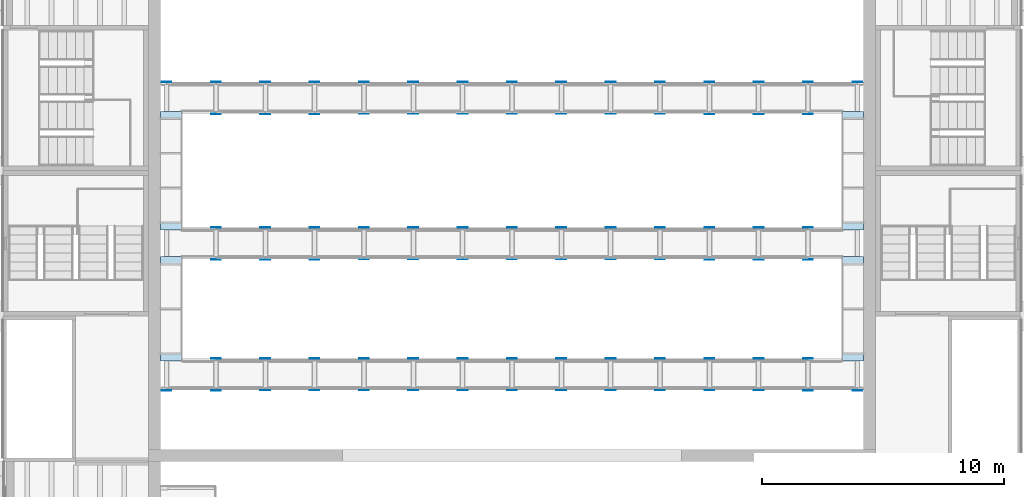
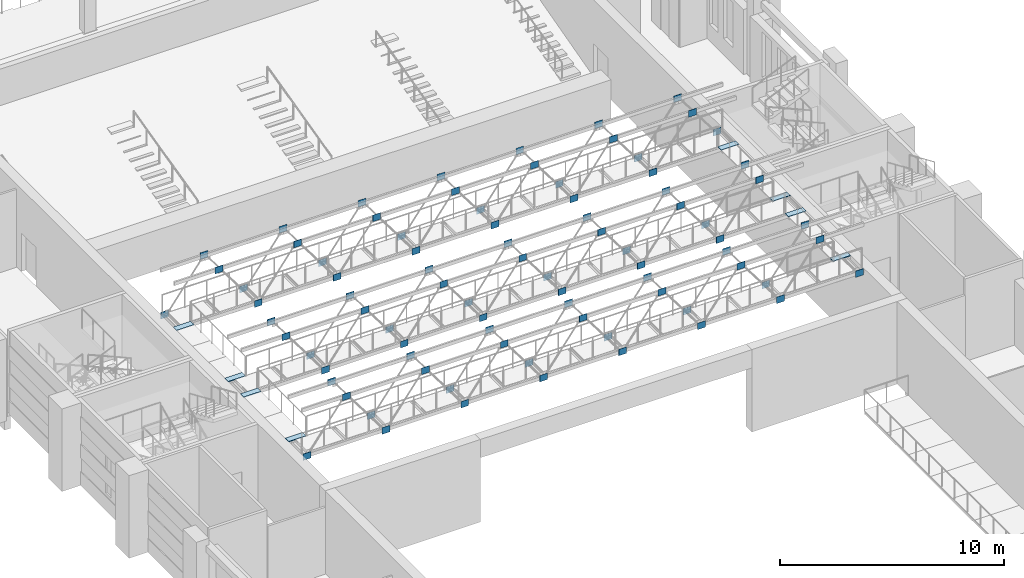
# One storey, part 24 of 70: 82 plates, 8 slabs.
"""IFC4 building model written with IfcOpenShell, lengths in metres."""

from ifc_helpers import new_model, si_unit, direction, frame, origin, origin_2d, place, context, subcontext, project, spatial, polyline, rectangle, outline, extrude, material, layer, layer_set, type_object, element, save


model = new_model("IFC4")

# Units and contexts
model_context = context("Model", 3, precision=1e-05, world=origin(), true_north=direction((0.0, 1.0)))
body_context = subcontext(model_context, "Body", "Model", "MODEL_VIEW")
ifc_project = project(units=[si_unit("LENGTHUNIT", "METRE"), si_unit("AREAUNIT", "SQUARE_METRE"), si_unit("VOLUMEUNIT", "CUBIC_METRE"), si_unit("PLANEANGLEUNIT", "RADIAN"), si_unit("MASSUNIT", "GRAM", prefix="KILO")], contexts=[model_context])

# Site, building, storey
site_placement = place(None, origin())
site = spatial("IfcSite", under=ifc_project, at=site_placement, CompositionType="ELEMENT")
building_placement = place(site_placement, origin())
building = spatial("IfcBuilding", under=site, at=building_placement, Name="Saffron Lane Theatres", CompositionType="ELEMENT")
storey_placement = place(building_placement, frame((0.0, 0.0, 12.0)))
storey = spatial("IfcBuildingStorey", under=building, at=storey_placement, Name="L02", CompositionType="ELEMENT", Elevation=12.0)

# Slabs
ifc_material_1 = material(Name="Steel Grade 350 grating", Category="steel")
ifc_layer_1 = layer(ifc_material_1, 0.0400390625)
ifc_layer_set_1 = layer_set([ifc_layer_1], Name="Steel Grade 350 grating")
slab_type = type_object("IfcSlabType", Name="ST-BRIDGE DECK", PredefinedType="USERDEFINED", material=ifc_layer_set_1)
slab_1_placement = place(storey_placement, frame((0.0, 0.0, 4.4599609375)))
element("IfcSlab", 1, at=slab_1_placement, inside=storey, type_object=slab_type, Name="CDW1-1", ObjectType="GALLERY", PredefinedType="USERDEFINED", context=body_context, shape_type="SweptSolid", body=[
    extrude(outline(polyline([(18.5, 58.14990234375), (19.39990234375, 58.14990234375), (19.39990234375, 58.449951171875), (18.5, 58.449951171875), (18.5, 58.14990234375)])), origin(), (0.0, 0.0, 1.0), 0.0400390625),
])
slab_2_placement = place(storey_placement, frame((0.0, 0.0, 4.4599609375)))
element("IfcSlab", 2, at=slab_2_placement, inside=storey, type_object=slab_type, Name="CDW1-4", ObjectType="GALLERY", PredefinedType="USERDEFINED", context=body_context, shape_type="SweptSolid", body=[
    extrude(outline(polyline([(18.5, 62.14990234375), (19.39990234375, 62.14990234375), (19.39990234375, 62.449951171875), (18.5, 62.449951171875), (18.5, 62.14990234375)])), origin(), (0.0, 0.0, 1.0), 0.0400390625),
])
slab_3_placement = place(storey_placement, frame((0.0, 0.0, 4.4599609375)))
element("IfcSlab", 3, at=slab_3_placement, inside=storey, type_object=slab_type, Name="CDE1-1", ObjectType="GALLERY", PredefinedType="USERDEFINED", context=body_context, shape_type="SweptSolid", body=[
    extrude(outline(polyline([(46.60009765625, 58.14990234375), (47.5, 58.14990234375), (47.5, 58.449951171875), (46.60009765625, 58.449951171875), (46.60009765625, 58.14990234375)])), origin(), (0.0, 0.0, 1.0), 0.0400390625),
])
slab_4_placement = place(storey_placement, frame((0.0, 0.0, 4.4599609375)))
element("IfcSlab", 4, at=slab_4_placement, inside=storey, type_object=slab_type, Name="CDE1-4", ObjectType="GALLERY", PredefinedType="USERDEFINED", context=body_context, shape_type="SweptSolid", body=[
    extrude(outline(polyline([(46.60009765625, 62.14990234375), (47.5, 62.14990234375), (47.5, 62.449951171875), (46.60009765625, 62.449951171875), (46.60009765625, 62.14990234375)])), origin(), (0.0, 0.0, 1.0), 0.0400390625),
])
slab_5_placement = place(storey_placement, frame((0.0, 0.0, 4.4599609375)))
element("IfcSlab", 5, at=slab_5_placement, inside=storey, type_object=slab_type, Name="CDW2-1", ObjectType="GALLERY", PredefinedType="USERDEFINED", context=body_context, shape_type="SweptSolid", body=[
    extrude(outline(polyline([(18.5, 63.550048828125), (19.39990234375, 63.550048828125), (19.39990234375, 63.85009765625), (18.5, 63.85009765625), (18.5, 63.550048828125)])), origin(), (0.0, 0.0, 1.0), 0.0400390625),
])
slab_6_placement = place(storey_placement, frame((0.0, 0.0, 4.4599609375)))
element("IfcSlab", 6, at=slab_6_placement, inside=storey, type_object=slab_type, Name="CDW2-5", ObjectType="GALLERY", PredefinedType="USERDEFINED", context=body_context, shape_type="SweptSolid", body=[
    extrude(outline(polyline([(18.5, 68.14990234375), (19.39990234375, 68.14990234375), (19.39990234375, 68.449951171875), (18.5, 68.449951171875), (18.5, 68.14990234375)])), origin(), (0.0, 0.0, 1.0), 0.0400390625),
])
slab_7_placement = place(storey_placement, frame((0.0, 0.0, 4.4599609375)))
element("IfcSlab", 7, at=slab_7_placement, inside=storey, type_object=slab_type, Name="CDE2-1", ObjectType="GALLERY", PredefinedType="USERDEFINED", context=body_context, shape_type="SweptSolid", body=[
    extrude(outline(polyline([(46.60009765625, 63.550048828125), (47.5, 63.550048828125), (47.5, 63.85009765625), (46.60009765625, 63.85009765625), (46.60009765625, 63.550048828125)])), origin(), (0.0, 0.0, 1.0), 0.0400390625),
])
slab_8_placement = place(storey_placement, frame((0.0, 0.0, 4.4599609375)))
element("IfcSlab", 8, at=slab_8_placement, inside=storey, type_object=slab_type, Name="CDE2-5", ObjectType="GALLERY", PredefinedType="USERDEFINED", context=body_context, shape_type="SweptSolid", body=[
    extrude(outline(polyline([(46.60009765625, 68.14990234375), (47.5, 68.14990234375), (47.5, 68.449951171875), (46.60009765625, 68.449951171875), (46.60009765625, 68.14990234375)])), origin(), (0.0, 0.0, 1.0), 0.0400390625),
])

# Plates
ifc_material_2 = material(Name="Steel Grade 350 plate", Category="steel")
ifc_layer_2 = layer(ifc_material_2, 0.010009765625)
ifc_layer_set_2 = layer_set([ifc_layer_2], Name="Steel Grade 350 plate")
plate_type_1 = type_object("IfcPlateType", Name="ST-GUSSET PLATE 10", PredefinedType="SHEET", material=ifc_layer_set_2)
for number, where, z_axis, x_axis, name in (
    (9, (26.892822265625, 56.945068359375, 4.18505859375), (0.0, 0.0, 1.0), (1.0, 0.0, 0.0), "LG1A-5"),
    (10, (28.928466796875, 56.945068359375, 6.724853515625), (0.0, 0.0, 1.0), (1.0, 0.0, 0.0), "LG1A-6"),
    (11, (30.96435546875, 56.945068359375, 4.18505859375), (0.0, 0.0, 1.0), (1.0, 0.0, 0.0), "LG1A-7"),
    (12, (33.0, 56.945068359375, 6.724853515625), (0.0, 0.0, 1.0), (1.0, 0.0, 0.0), "LG1A-8"),
    (13, (35.03564453125, 56.945068359375, 4.18505859375), (0.0, 0.0, 1.0), (1.0, 0.0, 0.0), "LG1A-9"),
    (14, (37.071533203125, 56.945068359375, 6.724853515625), (0.0, 0.0, 1.0), (1.0, 0.0, 0.0), "LG1A-10"),
    (15, (39.107177734375, 56.945068359375, 4.18505859375), (0.0, 0.0, 1.0), (1.0, 0.0, 0.0), "LG1A-11"),
    (16, (26.892822265625, 58.2548828125, 4.18505859375), (0.0, 0.0, 1.0), (1.0, 0.0, 0.0), "LG1B-5"),
    (17, (28.928466796875, 58.2548828125, 6.724853515625), (0.0, 0.0, 1.0), (1.0, 0.0, 0.0), "LG1B-6"),
    (18, (30.96435546875, 58.2548828125, 4.18505859375), (0.0, 0.0, 1.0), (1.0, 0.0, 0.0), "LG1B-7"),
    (19, (33.0, 58.2548828125, 6.724853515625), (0.0, 0.0, 1.0), (1.0, 0.0, 0.0), "LG1B-8"),
    (20, (35.03564453125, 58.2548828125, 4.18505859375), (0.0, 0.0, 1.0), (1.0, 0.0, 0.0), "LG1B-9"),
    (21, (37.071533203125, 58.2548828125, 6.724853515625), (0.0, 0.0, 1.0), (1.0, 0.0, 0.0), "LG1B-10"),
    (22, (39.107177734375, 58.2548828125, 4.18505859375), (0.0, 0.0, 1.0), (1.0, 0.0, 0.0), "LG1B-11"),
    (23, (26.892822265625, 62.344970703125, 4.18505859375), (0.0, 0.0, 1.0), (1.0, 0.0, 0.0), "LG2A-5"),
    (24, (28.928466796875, 62.344970703125, 6.724853515625), (0.0, 0.0, 1.0), (1.0, 0.0, 0.0), "LG2A-6"),
    (25, (30.96435546875, 62.344970703125, 4.18505859375), (0.0, 0.0, 1.0), (1.0, 0.0, 0.0), "LG2A-7"),
    (26, (33.0, 62.344970703125, 6.724853515625), (0.0, 0.0, 1.0), (1.0, 0.0, 0.0), "LG2A-8"),
    (27, (35.03564453125, 62.344970703125, 4.18505859375), (0.0, 0.0, 1.0), (1.0, 0.0, 0.0), "LG2A-9"),
    (28, (37.071533203125, 62.344970703125, 6.724853515625), (0.0, 0.0, 1.0), (1.0, 0.0, 0.0), "LG2A-10"),
    (29, (39.107177734375, 62.344970703125, 4.18505859375), (0.0, 0.0, 1.0), (1.0, 0.0, 0.0), "LG2A-11"),
    (30, (26.892822265625, 63.655029296875, 4.18505859375), (0.0, 0.0, 1.0), (1.0, 0.0, 0.0), "LG2B-5"),
    (31, (28.928466796875, 63.655029296875, 6.724853515625), (0.0, 0.0, 1.0), (1.0, 0.0, 0.0), "LG2B-6"),
    (32, (30.96435546875, 63.655029296875, 4.18505859375), (0.0, 0.0, 1.0), (1.0, 0.0, 0.0), "LG2B-7"),
    (33, (33.0, 63.655029296875, 6.724853515625), (0.0, 0.0, 1.0), (1.0, 0.0, 0.0), "LG2B-8"),
    (34, (35.03564453125, 63.655029296875, 4.18505859375), (0.0, 0.0, 1.0), (1.0, 0.0, 0.0), "LG2B-9"),
    (35, (37.071533203125, 63.655029296875, 6.724853515625), (0.0, 0.0, 1.0), (1.0, 0.0, 0.0), "LG2B-10"),
    (36, (39.107177734375, 63.655029296875, 4.18505859375), (0.0, 0.0, 1.0), (1.0, 0.0, 0.0), "LG2B-11"),
    (37, (26.892822265625, 68.344970703125, 4.18505859375), (0.0, 0.0, 1.0), (1.0, 0.0, 0.0), "LG3A-5"),
    (38, (28.928466796875, 68.344970703125, 6.724853515625), (0.0, 0.0, 1.0), (1.0, 0.0, 0.0), "LG3A-6"),
    (39, (30.96435546875, 68.344970703125, 4.18505859375), (0.0, 0.0, 1.0), (1.0, 0.0, 0.0), "LG3A-7"),
    (40, (33.0, 68.344970703125, 6.724853515625), (0.0, 0.0, 1.0), (1.0, 0.0, 0.0), "LG3A-8"),
    (41, (35.03564453125, 68.344970703125, 4.18505859375), (0.0, 0.0, 1.0), (1.0, 0.0, 0.0), "LG3A-9"),
    (42, (37.071533203125, 68.344970703125, 6.724853515625), (0.0, 0.0, 1.0), (1.0, 0.0, 0.0), "LG3A-10"),
    (43, (39.107177734375, 68.344970703125, 4.18505859375), (0.0, 0.0, 1.0), (1.0, 0.0, 0.0), "LG3A-11"),
    (44, (26.892822265625, 69.655029296875, 4.18505859375), (0.0, 0.0, 1.0), (1.0, 0.0, 0.0), "LG3B-5"),
    (45, (28.928466796875, 69.655029296875, 6.724853515625), (0.0, 0.0, 1.0), (1.0, 0.0, 0.0), "LG3B-6"),
    (46, (30.96435546875, 69.655029296875, 4.18505859375), (0.0, 0.0, 1.0), (1.0, 0.0, 0.0), "LG3B-7"),
    (47, (33.0, 69.655029296875, 6.724853515625), (0.0, 0.0, 1.0), (1.0, 0.0, 0.0), "LG3B-8"),
    (48, (35.03564453125, 69.655029296875, 4.18505859375), (0.0, 0.0, 1.0), (1.0, 0.0, 0.0), "LG3B-9"),
    (49, (37.071533203125, 69.655029296875, 6.724853515625), (0.0, 0.0, 1.0), (1.0, 0.0, 0.0), "LG3B-10"),
    (50, (39.107177734375, 69.655029296875, 4.18505859375), (0.0, 0.0, 1.0), (1.0, 0.0, 0.0), "LG3B-11"),
):
    element("IfcPlate", number, at=place(storey_placement, frame(where, z_axis=z_axis, x_axis=x_axis)), inside=storey, type_object=plate_type_1, Name=name, PredefinedType="SHEET", context=body_context, shape_type="SweptSolid", body=[
        extrude(rectangle(XDim=0.39990234375, YDim=0.010009765625, at=origin_2d()), origin(), (0.0, 0.0, 1.0), 0.35009765625),
    ])
ifc_material_3 = material(Name="Steel Grade 350 plate", Category="steel")
ifc_layer_3 = layer(ifc_material_3, 0.01611328125)
ifc_layer_set_3 = layer_set([ifc_layer_3], Name="Steel Grade 350 plate")
plate_type_2 = type_object("IfcPlateType", Name="ST-GUSSET PLATE 16", PredefinedType="SHEET", material=ifc_layer_set_3)
for number, where, z_axis, x_axis, name in (
    (51, (22.821533203125, 56.94189453125, 4.18505859375), (0.0, 0.0, 1.0), (1.0, 0.0, 0.0), "LG1A-3"),
    (52, (24.857177734375, 56.94189453125, 6.724853515625), (0.0, 0.0, 1.0), (1.0, 0.0, 0.0), "LG1A-4"),
    (53, (41.142822265625, 56.94189453125, 6.724853515625), (0.0, 0.0, 1.0), (1.0, 0.0, 0.0), "LG1A-12"),
    (54, (43.178466796875, 56.94189453125, 4.18505859375), (0.0, 0.0, 1.0), (1.0, 0.0, 0.0), "LG1A-13"),
    (55, (22.821533203125, 58.258056640625, 4.18505859375), (0.0, 0.0, 1.0), (1.0, 0.0, 0.0), "LG1B-3"),
    (56, (24.857177734375, 58.258056640625, 6.724853515625), (0.0, 0.0, 1.0), (1.0, 0.0, 0.0), "LG1B-4"),
    (57, (41.142822265625, 58.258056640625, 6.724853515625), (0.0, 0.0, 1.0), (1.0, 0.0, 0.0), "LG1B-12"),
    (58, (43.178466796875, 58.258056640625, 4.18505859375), (0.0, 0.0, 1.0), (1.0, 0.0, 0.0), "LG1B-13"),
    (59, (22.821533203125, 62.342041015625, 4.18505859375), (0.0, 0.0, 1.0), (1.0, 0.0, 0.0), "LG2A-3"),
    (60, (24.857177734375, 62.342041015625, 6.724853515625), (0.0, 0.0, 1.0), (1.0, 0.0, 0.0), "LG2A-4"),
    (61, (41.142822265625, 62.342041015625, 6.724853515625), (0.0, 0.0, 1.0), (1.0, 0.0, 0.0), "LG2A-12"),
    (62, (43.178466796875, 62.342041015625, 4.18505859375), (0.0, 0.0, 1.0), (1.0, 0.0, 0.0), "LG2A-13"),
    (63, (22.821533203125, 63.657958984375, 4.18505859375), (0.0, 0.0, 1.0), (1.0, 0.0, 0.0), "LG2B-3"),
    (64, (24.857177734375, 63.657958984375, 6.724853515625), (0.0, 0.0, 1.0), (1.0, 0.0, 0.0), "LG2B-4"),
    (65, (41.142822265625, 63.657958984375, 6.724853515625), (0.0, 0.0, 1.0), (1.0, 0.0, 0.0), "LG2B-12"),
    (66, (43.178466796875, 63.657958984375, 4.18505859375), (0.0, 0.0, 1.0), (1.0, 0.0, 0.0), "LG2B-13"),
    (67, (22.821533203125, 68.342041015625, 4.18505859375), (0.0, 0.0, 1.0), (1.0, 0.0, 0.0), "LG3A-3"),
    (68, (24.857177734375, 68.342041015625, 6.724853515625), (0.0, 0.0, 1.0), (1.0, 0.0, 0.0), "LG3A-4"),
    (69, (41.142822265625, 68.342041015625, 6.724853515625), (0.0, 0.0, 1.0), (1.0, 0.0, 0.0), "LG3A-12"),
    (70, (43.178466796875, 68.342041015625, 4.18505859375), (0.0, 0.0, 1.0), (1.0, 0.0, 0.0), "LG3A-13"),
    (71, (22.821533203125, 69.657958984375, 4.18505859375), (0.0, 0.0, 1.0), (1.0, 0.0, 0.0), "LG3B-3"),
    (72, (24.857177734375, 69.657958984375, 6.724853515625), (0.0, 0.0, 1.0), (1.0, 0.0, 0.0), "LG3B-4"),
    (73, (41.142822265625, 69.657958984375, 6.724853515625), (0.0, 0.0, 1.0), (1.0, 0.0, 0.0), "LG3B-12"),
    (74, (43.178466796875, 69.657958984375, 4.18505859375), (0.0, 0.0, 1.0), (1.0, 0.0, 0.0), "LG3B-13"),
):
    element("IfcPlate", number, at=place(storey_placement, frame(where, z_axis=z_axis, x_axis=x_axis)), inside=storey, type_object=plate_type_2, Name=name, PredefinedType="SHEET", context=body_context, shape_type="SweptSolid", body=[
        extrude(rectangle(XDim=0.39990234375, YDim=0.01611328125, at=origin_2d()), origin(), (0.0, 0.0, 1.0), 0.35009765625),
    ])
ifc_material_4 = material(Name="Steel Grade 350 plate", Category="steel")
ifc_layer_4 = layer(ifc_material_4, 0.02001953125)
ifc_layer_set_4 = layer_set([ifc_layer_4], Name="Steel Grade 350 plate")
plate_type_3 = type_object("IfcPlateType", Name="ST-GUSSET PLATE 20", PredefinedType="SHEET", material=ifc_layer_set_4)
for number, where, z_axis, x_axis, name in (
    (75, (18.75, 56.93994140625, 4.18505859375), (0.0, 0.0, 1.0), (1.0, 0.0, 0.0), "LG1A-1"),
    (76, (20.78564453125, 56.93994140625, 6.724853515625), (0.0, 0.0, 1.0), (1.0, 0.0, 0.0), "LG1A-2"),
    (77, (45.21435546875, 56.93994140625, 6.724853515625), (0.0, 0.0, 1.0), (1.0, 0.0, 0.0), "LG1A-14"),
    (78, (47.25, 56.93994140625, 4.18505859375), (0.0, 0.0, 1.0), (1.0, 0.0, 0.0), "LG1A-15"),
    (79, (20.78564453125, 58.260009765625, 6.724853515625), (0.0, 0.0, 1.0), (1.0, 0.0, 0.0), "LG1B-2"),
    (80, (45.21435546875, 58.260009765625, 6.724853515625), (0.0, 0.0, 1.0), (1.0, 0.0, 0.0), "LG1B-14"),
    (81, (20.78564453125, 62.340087890625, 6.724853515625), (0.0, 0.0, 1.0), (1.0, 0.0, 0.0), "LG2A-2"),
    (82, (45.21435546875, 62.340087890625, 6.724853515625), (0.0, 0.0, 1.0), (1.0, 0.0, 0.0), "LG2A-14"),
    (83, (20.78564453125, 63.659912109375, 6.724853515625), (0.0, 0.0, 1.0), (1.0, 0.0, 0.0), "LG2B-2"),
    (84, (45.21435546875, 63.659912109375, 6.724853515625), (0.0, 0.0, 1.0), (1.0, 0.0, 0.0), "LG2B-14"),
    (85, (20.78564453125, 68.340087890625, 6.724853515625), (0.0, 0.0, 1.0), (1.0, 0.0, 0.0), "LG3A-2"),
    (86, (45.21435546875, 68.340087890625, 6.724853515625), (0.0, 0.0, 1.0), (1.0, 0.0, 0.0), "LG3A-14"),
    (87, (18.75, 69.659912109375, 4.18505859375), (0.0, 0.0, 1.0), (1.0, 0.0, 0.0), "LG3B-1"),
    (88, (20.78564453125, 69.659912109375, 6.724853515625), (0.0, 0.0, 1.0), (1.0, 0.0, 0.0), "LG3B-2"),
    (89, (45.21435546875, 69.659912109375, 6.724853515625), (0.0, 0.0, 1.0), (1.0, 0.0, 0.0), "LG3B-14"),
    (90, (47.25, 69.659912109375, 4.18505859375), (0.0, 0.0, 1.0), (1.0, 0.0, 0.0), "LG3B-15"),
):
    element("IfcPlate", number, at=place(storey_placement, frame(where, z_axis=z_axis, x_axis=x_axis)), inside=storey, type_object=plate_type_3, Name=name, PredefinedType="SHEET", context=body_context, shape_type="SweptSolid", body=[
        extrude(rectangle(XDim=0.39990234375, YDim=0.02001953125, at=origin_2d()), origin(), (0.0, 0.0, 1.0), 0.35009765625),
    ])

save(model, "model.ifc")
